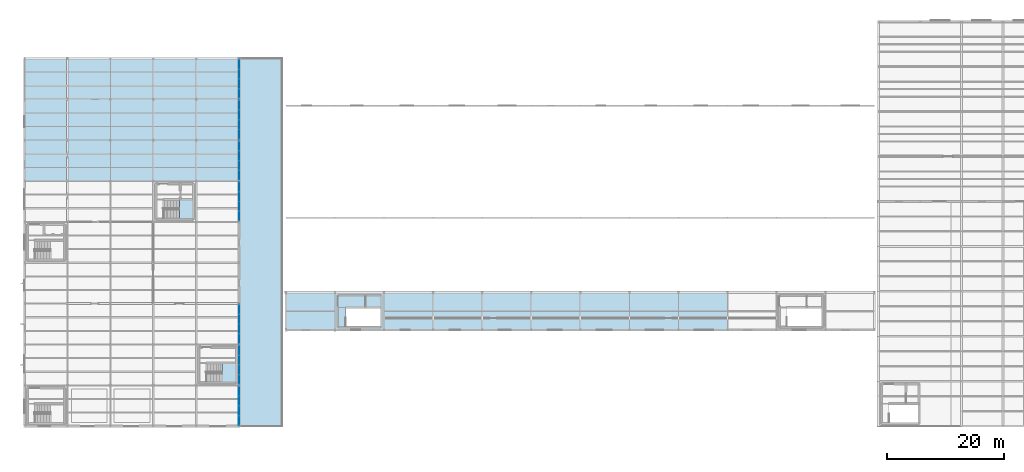
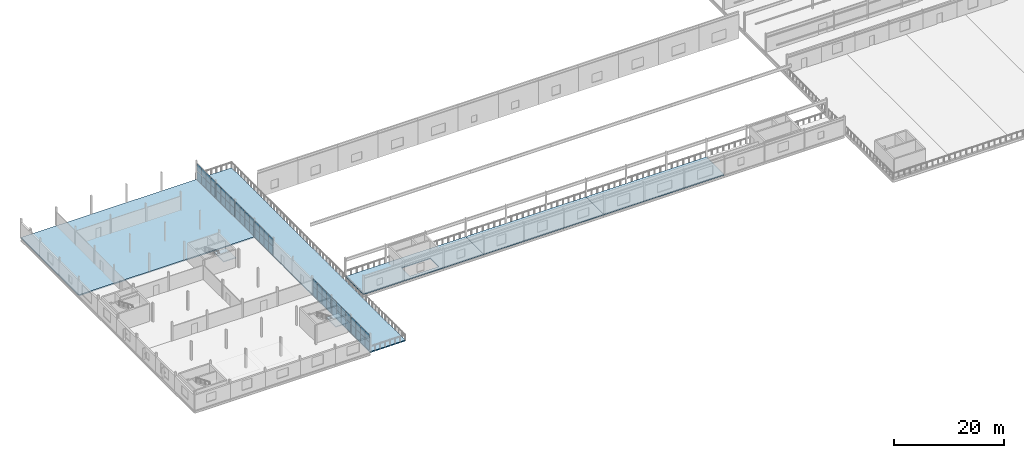
# One storey, part 27 of 39: 56 plates, 7 slabs, 9 elements without a shape of their own.
"""IFC4 building model written with IfcOpenShell, lengths in metres."""

from ifc_helpers import new_model, si_unit, direction, frame, origin, origin_2d, place, context, subcontext, project, spatial, polyline, rectangle, outline, extrude, material, layer, layer_set, type_object, element, aggregate, save


model = new_model("IFC4")

# Units and contexts
model_context = context("Model", 3, precision=1e-05, world=origin(), true_north=direction((0.0, 1.0)))
body_context = subcontext(model_context, "Body", "Model", "MODEL_VIEW")
ifc_project = project(units=[si_unit("LENGTHUNIT", "METRE"), si_unit("AREAUNIT", "SQUARE_METRE"), si_unit("VOLUMEUNIT", "CUBIC_METRE"), si_unit("PLANEANGLEUNIT", "RADIAN"), si_unit("MASSUNIT", "GRAM", prefix="KILO")], contexts=[model_context])

# Site, building, storey
site_placement = place(None, origin())
site = spatial("IfcSite", under=ifc_project, at=site_placement, CompositionType="ELEMENT")
building_placement = place(site_placement, origin())
building = spatial("IfcBuilding", under=site, at=building_placement, Name="Kazenagashi Tramway Depot", CompositionType="ELEMENT")
storey_placement = place(building_placement, frame((0.0, 0.0, 11.1)))
storey = spatial("IfcBuildingStorey", under=building, at=storey_placement, Name="L03", CompositionType="ELEMENT", Elevation=11.1)

# Curtain wall, plates
ifc_material_1 = material(Name="Anodised Aluminium and Low-E Glazing", Category="aluminium")
curtain_wall_type = type_object("IfcCurtainWallType", Name="CW-26", PredefinedType="USERDEFINED", material=ifc_material_1)
curtain_wall_1_placement = place(storey_placement, origin())
curtain_wall_1 = element("IfcCurtainWall", 1, at=curtain_wall_1_placement, inside=storey, type_object=curtain_wall_type, Name="Industrial Glazed Screen CW-26 CW-0145", ObjectType="GLAZED SCREEN", PredefinedType="USERDEFINED")
ifc_material_2 = material(Name="Tempered Laminated Low-E Glass", Category="glass")
ifc_layer_1 = layer(ifc_material_2, 0.016)
ifc_layer_set_1 = layer_set([ifc_layer_1], Name="Tempered Laminated Low-E Glass")
plate_type_1 = type_object("IfcPlateType", Name="GL-01", PredefinedType="CURTAIN_PANEL", material=ifc_layer_set_1)
plate_1_placement = place(storey_placement, frame((36.75, 7.995, 0.06), z_axis=(0.0, 0.0, 1.0), x_axis=(0.0, 1.0, 0.0)))
plate_1 = element("IfcPlate", 2, at=plate_1_placement, type_object=plate_type_1, Name="CW-26 panel 1.1", PredefinedType="CURTAIN_PANEL", context=body_context, shape_type="SweptSolid", body=[
    extrude(rectangle(XDim=1.59, YDim=0.016, at=origin_2d()), origin(), (0.0, 0.0, 1.0), 1.834),
])
plate_2_placement = place(storey_placement, frame((36.75, 7.995, 1.954), z_axis=(0.0, 0.0, 1.0), x_axis=(0.0, 1.0, 0.0)))
plate_2 = element("IfcPlate", 3, at=plate_2_placement, type_object=plate_type_1, Name="CW-26 panel 1.2", PredefinedType="CURTAIN_PANEL", context=body_context, shape_type="SweptSolid", body=[
    extrude(rectangle(XDim=1.59, YDim=0.016, at=origin_2d()), origin(), (0.0, 0.0, 1.0), 1.686),
])
plate_3_placement = place(storey_placement, frame((36.75, 9.66, 0.06), z_axis=(0.0, 0.0, 1.0), x_axis=(0.0, 1.0, 0.0)))
plate_3 = element("IfcPlate", 4, at=plate_3_placement, type_object=plate_type_1, Name="CW-26 panel 2.1", PredefinedType="CURTAIN_PANEL", context=body_context, shape_type="SweptSolid", body=[
    extrude(rectangle(XDim=1.62, YDim=0.016, at=origin_2d()), origin(), (0.0, 0.0, 1.0), 1.834),
])
plate_4_placement = place(storey_placement, frame((36.75, 9.66, 1.954), z_axis=(0.0, 0.0, 1.0), x_axis=(0.0, 1.0, 0.0)))
plate_4 = element("IfcPlate", 5, at=plate_4_placement, type_object=plate_type_1, Name="CW-26 panel 2.2", PredefinedType="CURTAIN_PANEL", context=body_context, shape_type="SweptSolid", body=[
    extrude(rectangle(XDim=1.62, YDim=0.016, at=origin_2d()), origin(), (0.0, 0.0, 1.0), 1.686),
])
plate_5_placement = place(storey_placement, frame((36.75, 11.34, 0.06), z_axis=(0.0, 0.0, 1.0), x_axis=(0.0, 1.0, 0.0)))
plate_5 = element("IfcPlate", 6, at=plate_5_placement, type_object=plate_type_1, Name="CW-26 panel 3.1", PredefinedType="CURTAIN_PANEL", context=body_context, shape_type="SweptSolid", body=[
    extrude(rectangle(XDim=1.62, YDim=0.016, at=origin_2d()), origin(), (0.0, 0.0, 1.0), 1.834),
])
plate_6_placement = place(storey_placement, frame((36.75, 11.34, 1.954), z_axis=(0.0, 0.0, 1.0), x_axis=(0.0, 1.0, 0.0)))
plate_6 = element("IfcPlate", 7, at=plate_6_placement, type_object=plate_type_1, Name="CW-26 panel 3.2", PredefinedType="CURTAIN_PANEL", context=body_context, shape_type="SweptSolid", body=[
    extrude(rectangle(XDim=1.62, YDim=0.016, at=origin_2d()), origin(), (0.0, 0.0, 1.0), 1.686),
])
plate_7_placement = place(storey_placement, frame((36.75, 13.005, 0.06), z_axis=(0.0, 0.0, 1.0), x_axis=(0.0, 1.0, 0.0)))
plate_7 = element("IfcPlate", 8, at=plate_7_placement, type_object=plate_type_1, Name="CW-26 panel 4.1", PredefinedType="CURTAIN_PANEL", context=body_context, shape_type="SweptSolid", body=[
    extrude(rectangle(XDim=1.59, YDim=0.016, at=origin_2d()), origin(), (0.0, 0.0, 1.0), 1.834),
])
plate_8_placement = place(storey_placement, frame((36.75, 13.005, 1.954), z_axis=(0.0, 0.0, 1.0), x_axis=(0.0, 1.0, 0.0)))
plate_8 = element("IfcPlate", 9, at=plate_8_placement, type_object=plate_type_1, Name="CW-26 panel 4.2", PredefinedType="CURTAIN_PANEL", context=body_context, shape_type="SweptSolid", body=[
    extrude(rectangle(XDim=1.59, YDim=0.016, at=origin_2d()), origin(), (0.0, 0.0, 1.0), 1.686),
])
aggregate(curtain_wall_1, [plate_1, plate_2, plate_3, plate_4, plate_5, plate_6, plate_7, plate_8])

curtain_wall_2_placement = place(storey_placement, origin())
curtain_wall_2 = element("IfcCurtainWall", 10, at=curtain_wall_2_placement, inside=storey, type_object=curtain_wall_type, Name="Industrial Glazed Screen CW-26 CW-0146", ObjectType="GLAZED SCREEN", PredefinedType="USERDEFINED")
ifc_layer_2 = layer(ifc_material_2, 0.018)
ifc_layer_set_2 = layer_set([ifc_layer_2], Name="Tempered Laminated Low-E Glass")
plate_type_2 = type_object("IfcPlateType", Name="GL-02", PredefinedType="CURTAIN_PANEL", material=ifc_layer_set_2)
plate_9_placement = place(storey_placement, frame((36.75, 14.995, 0.06), z_axis=(0.0, 0.0, 1.0), x_axis=(0.0, 1.0, 0.0)))
plate_9 = element("IfcPlate", 11, at=plate_9_placement, type_object=plate_type_2, Name="CW-26 panel 1.1", PredefinedType="CURTAIN_PANEL", context=body_context, shape_type="SweptSolid", body=[
    extrude(rectangle(XDim=1.59, YDim=0.018, at=origin_2d()), origin(), (0.0, 0.0, 1.0), 1.834),
])
plate_10_placement = place(storey_placement, frame((36.75, 14.995, 1.954), z_axis=(0.0, 0.0, 1.0), x_axis=(0.0, 1.0, 0.0)))
plate_10 = element("IfcPlate", 12, at=plate_10_placement, type_object=plate_type_2, Name="CW-26 panel 1.2", PredefinedType="CURTAIN_PANEL", context=body_context, shape_type="SweptSolid", body=[
    extrude(rectangle(XDim=1.59, YDim=0.018, at=origin_2d()), origin(), (0.0, 0.0, 1.0), 1.686),
])
plate_11_placement = place(storey_placement, frame((36.75, 16.66, 0.06), z_axis=(0.0, 0.0, 1.0), x_axis=(0.0, 1.0, 0.0)))
plate_11 = element("IfcPlate", 13, at=plate_11_placement, type_object=plate_type_2, Name="CW-26 panel 2.1", PredefinedType="CURTAIN_PANEL", context=body_context, shape_type="SweptSolid", body=[
    extrude(rectangle(XDim=1.62, YDim=0.018, at=origin_2d()), origin(), (0.0, 0.0, 1.0), 1.834),
])
plate_12_placement = place(storey_placement, frame((36.75, 16.66, 1.954), z_axis=(0.0, 0.0, 1.0), x_axis=(0.0, 1.0, 0.0)))
plate_12 = element("IfcPlate", 14, at=plate_12_placement, type_object=plate_type_2, Name="CW-26 panel 2.2", PredefinedType="CURTAIN_PANEL", context=body_context, shape_type="SweptSolid", body=[
    extrude(rectangle(XDim=1.62, YDim=0.018, at=origin_2d()), origin(), (0.0, 0.0, 1.0), 1.686),
])
plate_13_placement = place(storey_placement, frame((36.75, 18.34, 0.06), z_axis=(0.0, 0.0, 1.0), x_axis=(0.0, 1.0, 0.0)))
plate_13 = element("IfcPlate", 15, at=plate_13_placement, type_object=plate_type_2, Name="CW-26 panel 3.1", PredefinedType="CURTAIN_PANEL", context=body_context, shape_type="SweptSolid", body=[
    extrude(rectangle(XDim=1.62, YDim=0.018, at=origin_2d()), origin(), (0.0, 0.0, 1.0), 1.834),
])
plate_14_placement = place(storey_placement, frame((36.75, 18.34, 1.954), z_axis=(0.0, 0.0, 1.0), x_axis=(0.0, 1.0, 0.0)))
plate_14 = element("IfcPlate", 16, at=plate_14_placement, type_object=plate_type_2, Name="CW-26 panel 3.2", PredefinedType="CURTAIN_PANEL", context=body_context, shape_type="SweptSolid", body=[
    extrude(rectangle(XDim=1.62, YDim=0.018, at=origin_2d()), origin(), (0.0, 0.0, 1.0), 1.686),
])
plate_15_placement = place(storey_placement, frame((36.75, 20.005, 0.06), z_axis=(0.0, 0.0, 1.0), x_axis=(0.0, 1.0, 0.0)))
plate_15 = element("IfcPlate", 17, at=plate_15_placement, type_object=plate_type_2, Name="CW-26 panel 4.1", PredefinedType="CURTAIN_PANEL", context=body_context, shape_type="SweptSolid", body=[
    extrude(rectangle(XDim=1.59, YDim=0.018, at=origin_2d()), origin(), (0.0, 0.0, 1.0), 1.834),
])
plate_16_placement = place(storey_placement, frame((36.75, 20.005, 1.954), z_axis=(0.0, 0.0, 1.0), x_axis=(0.0, 1.0, 0.0)))
plate_16 = element("IfcPlate", 18, at=plate_16_placement, type_object=plate_type_2, Name="CW-26 panel 4.2", PredefinedType="CURTAIN_PANEL", context=body_context, shape_type="SweptSolid", body=[
    extrude(rectangle(XDim=1.59, YDim=0.018, at=origin_2d()), origin(), (0.0, 0.0, 1.0), 1.686),
])
aggregate(curtain_wall_2, [plate_9, plate_10, plate_11, plate_12, plate_13, plate_14, plate_15, plate_16])

curtain_wall_3_placement = place(storey_placement, origin())
curtain_wall_3 = element("IfcCurtainWall", 19, at=curtain_wall_3_placement, inside=storey, type_object=curtain_wall_type, Name="Industrial Glazed Screen CW-26 CW-0147", ObjectType="GLAZED SCREEN", PredefinedType="USERDEFINED")
ifc_layer_3 = layer(ifc_material_2, 0.02)
ifc_layer_set_3 = layer_set([ifc_layer_3], Name="Tempered Laminated Low-E Glass")
plate_type_3 = type_object("IfcPlateType", Name="GL-03", PredefinedType="CURTAIN_PANEL", material=ifc_layer_set_3)
plate_17_placement = place(storey_placement, frame((36.75, 35.995, 0.06), z_axis=(0.0, 0.0, 1.0), x_axis=(0.0, 1.0, 0.0)))
plate_17 = element("IfcPlate", 20, at=plate_17_placement, type_object=plate_type_3, Name="CW-26 panel 1.1", PredefinedType="CURTAIN_PANEL", context=body_context, shape_type="SweptSolid", body=[
    extrude(rectangle(XDim=1.59, YDim=0.02, at=origin_2d()), origin(), (0.0, 0.0, 1.0), 1.834),
])
plate_18_placement = place(storey_placement, frame((36.75, 35.995, 1.954), z_axis=(0.0, 0.0, 1.0), x_axis=(0.0, 1.0, 0.0)))
plate_18 = element("IfcPlate", 21, at=plate_18_placement, type_object=plate_type_3, Name="CW-26 panel 1.2", PredefinedType="CURTAIN_PANEL", context=body_context, shape_type="SweptSolid", body=[
    extrude(rectangle(XDim=1.59, YDim=0.02, at=origin_2d()), origin(), (0.0, 0.0, 1.0), 1.686),
])
plate_19_placement = place(storey_placement, frame((36.75, 37.66, 0.06), z_axis=(0.0, 0.0, 1.0), x_axis=(0.0, 1.0, 0.0)))
plate_19 = element("IfcPlate", 22, at=plate_19_placement, type_object=plate_type_3, Name="CW-26 panel 2.1", PredefinedType="CURTAIN_PANEL", context=body_context, shape_type="SweptSolid", body=[
    extrude(rectangle(XDim=1.62, YDim=0.02, at=origin_2d()), origin(), (0.0, 0.0, 1.0), 1.834),
])
plate_20_placement = place(storey_placement, frame((36.75, 37.66, 1.954), z_axis=(0.0, 0.0, 1.0), x_axis=(0.0, 1.0, 0.0)))
plate_20 = element("IfcPlate", 23, at=plate_20_placement, type_object=plate_type_3, Name="CW-26 panel 2.2", PredefinedType="CURTAIN_PANEL", context=body_context, shape_type="SweptSolid", body=[
    extrude(rectangle(XDim=1.62, YDim=0.02, at=origin_2d()), origin(), (0.0, 0.0, 1.0), 1.686),
])
plate_21_placement = place(storey_placement, frame((36.75, 39.34, 0.06), z_axis=(0.0, 0.0, 1.0), x_axis=(0.0, 1.0, 0.0)))
plate_21 = element("IfcPlate", 24, at=plate_21_placement, type_object=plate_type_3, Name="CW-26 panel 3.1", PredefinedType="CURTAIN_PANEL", context=body_context, shape_type="SweptSolid", body=[
    extrude(rectangle(XDim=1.62, YDim=0.02, at=origin_2d()), origin(), (0.0, 0.0, 1.0), 1.834),
])
plate_22_placement = place(storey_placement, frame((36.75, 39.34, 1.954), z_axis=(0.0, 0.0, 1.0), x_axis=(0.0, 1.0, 0.0)))
plate_22 = element("IfcPlate", 25, at=plate_22_placement, type_object=plate_type_3, Name="CW-26 panel 3.2", PredefinedType="CURTAIN_PANEL", context=body_context, shape_type="SweptSolid", body=[
    extrude(rectangle(XDim=1.62, YDim=0.02, at=origin_2d()), origin(), (0.0, 0.0, 1.0), 1.686),
])
plate_23_placement = place(storey_placement, frame((36.75, 41.005, 0.06), z_axis=(0.0, 0.0, 1.0), x_axis=(0.0, 1.0, 0.0)))
plate_23 = element("IfcPlate", 26, at=plate_23_placement, type_object=plate_type_3, Name="CW-26 panel 4.1", PredefinedType="CURTAIN_PANEL", context=body_context, shape_type="SweptSolid", body=[
    extrude(rectangle(XDim=1.59, YDim=0.02, at=origin_2d()), origin(), (0.0, 0.0, 1.0), 1.834),
])
plate_24_placement = place(storey_placement, frame((36.75, 41.005, 1.954), z_axis=(0.0, 0.0, 1.0), x_axis=(0.0, 1.0, 0.0)))
plate_24 = element("IfcPlate", 27, at=plate_24_placement, type_object=plate_type_3, Name="CW-26 panel 4.2", PredefinedType="CURTAIN_PANEL", context=body_context, shape_type="SweptSolid", body=[
    extrude(rectangle(XDim=1.59, YDim=0.02, at=origin_2d()), origin(), (0.0, 0.0, 1.0), 1.686),
])
aggregate(curtain_wall_3, [plate_17, plate_18, plate_19, plate_20, plate_21, plate_22, plate_23, plate_24])

curtain_wall_4_placement = place(storey_placement, origin())
curtain_wall_4 = element("IfcCurtainWall", 28, at=curtain_wall_4_placement, inside=storey, type_object=curtain_wall_type, Name="Industrial Glazed Screen CW-26 CW-0148", ObjectType="GLAZED SCREEN", PredefinedType="USERDEFINED")
ifc_layer_4 = layer(ifc_material_2, 0.022)
ifc_layer_set_4 = layer_set([ifc_layer_4], Name="Tempered Laminated Low-E Glass")
plate_type_4 = type_object("IfcPlateType", Name="GL-04", PredefinedType="CURTAIN_PANEL", material=ifc_layer_set_4)
plate_25_placement = place(storey_placement, frame((36.75, 42.995, 0.06), z_axis=(0.0, 0.0, 1.0), x_axis=(0.0, 1.0, 0.0)))
plate_25 = element("IfcPlate", 29, at=plate_25_placement, type_object=plate_type_4, Name="CW-26 panel 1.1", PredefinedType="CURTAIN_PANEL", context=body_context, shape_type="SweptSolid", body=[
    extrude(rectangle(XDim=1.59, YDim=0.022, at=origin_2d()), origin(), (0.0, 0.0, 1.0), 1.834),
])
plate_26_placement = place(storey_placement, frame((36.75, 42.995, 1.954), z_axis=(0.0, 0.0, 1.0), x_axis=(0.0, 1.0, 0.0)))
plate_26 = element("IfcPlate", 30, at=plate_26_placement, type_object=plate_type_4, Name="CW-26 panel 1.2", PredefinedType="CURTAIN_PANEL", context=body_context, shape_type="SweptSolid", body=[
    extrude(rectangle(XDim=1.59, YDim=0.022, at=origin_2d()), origin(), (0.0, 0.0, 1.0), 1.686),
])
plate_27_placement = place(storey_placement, frame((36.75, 44.66, 0.06), z_axis=(0.0, 0.0, 1.0), x_axis=(0.0, 1.0, 0.0)))
plate_27 = element("IfcPlate", 31, at=plate_27_placement, type_object=plate_type_4, Name="CW-26 panel 2.1", PredefinedType="CURTAIN_PANEL", context=body_context, shape_type="SweptSolid", body=[
    extrude(rectangle(XDim=1.62, YDim=0.022, at=origin_2d()), origin(), (0.0, 0.0, 1.0), 1.834),
])
plate_28_placement = place(storey_placement, frame((36.75, 44.66, 1.954), z_axis=(0.0, 0.0, 1.0), x_axis=(0.0, 1.0, 0.0)))
plate_28 = element("IfcPlate", 32, at=plate_28_placement, type_object=plate_type_4, Name="CW-26 panel 2.2", PredefinedType="CURTAIN_PANEL", context=body_context, shape_type="SweptSolid", body=[
    extrude(rectangle(XDim=1.62, YDim=0.022, at=origin_2d()), origin(), (0.0, 0.0, 1.0), 1.686),
])
plate_29_placement = place(storey_placement, frame((36.75, 46.34, 0.06), z_axis=(0.0, 0.0, 1.0), x_axis=(0.0, 1.0, 0.0)))
plate_29 = element("IfcPlate", 33, at=plate_29_placement, type_object=plate_type_4, Name="CW-26 panel 3.1", PredefinedType="CURTAIN_PANEL", context=body_context, shape_type="SweptSolid", body=[
    extrude(rectangle(XDim=1.62, YDim=0.022, at=origin_2d()), origin(), (0.0, 0.0, 1.0), 1.834),
])
plate_30_placement = place(storey_placement, frame((36.75, 46.34, 1.954), z_axis=(0.0, 0.0, 1.0), x_axis=(0.0, 1.0, 0.0)))
plate_30 = element("IfcPlate", 34, at=plate_30_placement, type_object=plate_type_4, Name="CW-26 panel 3.2", PredefinedType="CURTAIN_PANEL", context=body_context, shape_type="SweptSolid", body=[
    extrude(rectangle(XDim=1.62, YDim=0.022, at=origin_2d()), origin(), (0.0, 0.0, 1.0), 1.686),
])
plate_31_placement = place(storey_placement, frame((36.75, 48.005, 0.06), z_axis=(0.0, 0.0, 1.0), x_axis=(0.0, 1.0, 0.0)))
plate_31 = element("IfcPlate", 35, at=plate_31_placement, type_object=plate_type_4, Name="CW-26 panel 4.1", PredefinedType="CURTAIN_PANEL", context=body_context, shape_type="SweptSolid", body=[
    extrude(rectangle(XDim=1.59, YDim=0.022, at=origin_2d()), origin(), (0.0, 0.0, 1.0), 1.834),
])
plate_32_placement = place(storey_placement, frame((36.75, 48.005, 1.954), z_axis=(0.0, 0.0, 1.0), x_axis=(0.0, 1.0, 0.0)))
plate_32 = element("IfcPlate", 36, at=plate_32_placement, type_object=plate_type_4, Name="CW-26 panel 4.2", PredefinedType="CURTAIN_PANEL", context=body_context, shape_type="SweptSolid", body=[
    extrude(rectangle(XDim=1.59, YDim=0.022, at=origin_2d()), origin(), (0.0, 0.0, 1.0), 1.686),
])
aggregate(curtain_wall_4, [plate_25, plate_26, plate_27, plate_28, plate_29, plate_30, plate_31, plate_32])

curtain_wall_5_placement = place(storey_placement, origin())
curtain_wall_5 = element("IfcCurtainWall", 37, at=curtain_wall_5_placement, inside=storey, type_object=curtain_wall_type, Name="Industrial Glazed Screen CW-26 CW-0149", ObjectType="GLAZED SCREEN", PredefinedType="USERDEFINED")
ifc_layer_5 = layer(ifc_material_2, 0.024)
ifc_layer_set_5 = layer_set([ifc_layer_5], Name="Tempered Laminated Low-E Glass")
plate_type_5 = type_object("IfcPlateType", Name="GL-05", PredefinedType="CURTAIN_PANEL", material=ifc_layer_set_5)
plate_33_placement = place(storey_placement, frame((36.75, 49.995, 0.06), z_axis=(0.0, 0.0, 1.0), x_axis=(0.0, 1.0, 0.0)))
plate_33 = element("IfcPlate", 38, at=plate_33_placement, type_object=plate_type_5, Name="CW-26 panel 1.1", PredefinedType="CURTAIN_PANEL", context=body_context, shape_type="SweptSolid", body=[
    extrude(rectangle(XDim=1.59, YDim=0.024, at=origin_2d()), origin(), (0.0, 0.0, 1.0), 1.834),
])
plate_34_placement = place(storey_placement, frame((36.75, 49.995, 1.954), z_axis=(0.0, 0.0, 1.0), x_axis=(0.0, 1.0, 0.0)))
plate_34 = element("IfcPlate", 39, at=plate_34_placement, type_object=plate_type_5, Name="CW-26 panel 1.2", PredefinedType="CURTAIN_PANEL", context=body_context, shape_type="SweptSolid", body=[
    extrude(rectangle(XDim=1.59, YDim=0.024, at=origin_2d()), origin(), (0.0, 0.0, 1.0), 1.686),
])
plate_35_placement = place(storey_placement, frame((36.75, 51.66, 0.06), z_axis=(0.0, 0.0, 1.0), x_axis=(0.0, 1.0, 0.0)))
plate_35 = element("IfcPlate", 40, at=plate_35_placement, type_object=plate_type_5, Name="CW-26 panel 2.1", PredefinedType="CURTAIN_PANEL", context=body_context, shape_type="SweptSolid", body=[
    extrude(rectangle(XDim=1.62, YDim=0.024, at=origin_2d()), origin(), (0.0, 0.0, 1.0), 1.834),
])
plate_36_placement = place(storey_placement, frame((36.75, 51.66, 1.954), z_axis=(0.0, 0.0, 1.0), x_axis=(0.0, 1.0, 0.0)))
plate_36 = element("IfcPlate", 41, at=plate_36_placement, type_object=plate_type_5, Name="CW-26 panel 2.2", PredefinedType="CURTAIN_PANEL", context=body_context, shape_type="SweptSolid", body=[
    extrude(rectangle(XDim=1.62, YDim=0.024, at=origin_2d()), origin(), (0.0, 0.0, 1.0), 1.686),
])
plate_37_placement = place(storey_placement, frame((36.75, 53.34, 0.06), z_axis=(0.0, 0.0, 1.0), x_axis=(0.0, 1.0, 0.0)))
plate_37 = element("IfcPlate", 42, at=plate_37_placement, type_object=plate_type_5, Name="CW-26 panel 3.1", PredefinedType="CURTAIN_PANEL", context=body_context, shape_type="SweptSolid", body=[
    extrude(rectangle(XDim=1.62, YDim=0.024, at=origin_2d()), origin(), (0.0, 0.0, 1.0), 1.834),
])
plate_38_placement = place(storey_placement, frame((36.75, 53.34, 1.954), z_axis=(0.0, 0.0, 1.0), x_axis=(0.0, 1.0, 0.0)))
plate_38 = element("IfcPlate", 43, at=plate_38_placement, type_object=plate_type_5, Name="CW-26 panel 3.2", PredefinedType="CURTAIN_PANEL", context=body_context, shape_type="SweptSolid", body=[
    extrude(rectangle(XDim=1.62, YDim=0.024, at=origin_2d()), origin(), (0.0, 0.0, 1.0), 1.686),
])
plate_39_placement = place(storey_placement, frame((36.75, 55.005, 0.06), z_axis=(0.0, 0.0, 1.0), x_axis=(0.0, 1.0, 0.0)))
plate_39 = element("IfcPlate", 44, at=plate_39_placement, type_object=plate_type_5, Name="CW-26 panel 4.1", PredefinedType="CURTAIN_PANEL", context=body_context, shape_type="SweptSolid", body=[
    extrude(rectangle(XDim=1.59, YDim=0.024, at=origin_2d()), origin(), (0.0, 0.0, 1.0), 1.834),
])
plate_40_placement = place(storey_placement, frame((36.75, 55.005, 1.954), z_axis=(0.0, 0.0, 1.0), x_axis=(0.0, 1.0, 0.0)))
plate_40 = element("IfcPlate", 45, at=plate_40_placement, type_object=plate_type_5, Name="CW-26 panel 4.2", PredefinedType="CURTAIN_PANEL", context=body_context, shape_type="SweptSolid", body=[
    extrude(rectangle(XDim=1.59, YDim=0.024, at=origin_2d()), origin(), (0.0, 0.0, 1.0), 1.686),
])
aggregate(curtain_wall_5, [plate_33, plate_34, plate_35, plate_36, plate_37, plate_38, plate_39, plate_40])

curtain_wall_6_placement = place(storey_placement, origin())
curtain_wall_6 = element("IfcCurtainWall", 46, at=curtain_wall_6_placement, inside=storey, type_object=curtain_wall_type, Name="Industrial Glazed Screen CW-26 CW-0150", ObjectType="GLAZED SCREEN", PredefinedType="USERDEFINED")
ifc_layer_6 = layer(ifc_material_2, 0.026)
ifc_layer_set_6 = layer_set([ifc_layer_6], Name="Tempered Laminated Low-E Glass")
plate_type_6 = type_object("IfcPlateType", Name="GL-06", PredefinedType="CURTAIN_PANEL", material=ifc_layer_set_6)
plate_41_placement = place(storey_placement, frame((36.75, 56.995, 0.06), z_axis=(0.0, 0.0, 1.0), x_axis=(0.0, 1.0, 0.0)))
plate_41 = element("IfcPlate", 47, at=plate_41_placement, type_object=plate_type_6, Name="CW-26 panel 1.1", PredefinedType="CURTAIN_PANEL", context=body_context, shape_type="SweptSolid", body=[
    extrude(rectangle(XDim=1.59, YDim=0.026, at=origin_2d()), origin(), (0.0, 0.0, 1.0), 1.834),
])
plate_42_placement = place(storey_placement, frame((36.75, 56.995, 1.954), z_axis=(0.0, 0.0, 1.0), x_axis=(0.0, 1.0, 0.0)))
plate_42 = element("IfcPlate", 48, at=plate_42_placement, type_object=plate_type_6, Name="CW-26 panel 1.2", PredefinedType="CURTAIN_PANEL", context=body_context, shape_type="SweptSolid", body=[
    extrude(rectangle(XDim=1.59, YDim=0.026, at=origin_2d()), origin(), (0.0, 0.0, 1.0), 1.686),
])
plate_43_placement = place(storey_placement, frame((36.75, 58.66, 0.06), z_axis=(0.0, 0.0, 1.0), x_axis=(0.0, 1.0, 0.0)))
plate_43 = element("IfcPlate", 49, at=plate_43_placement, type_object=plate_type_6, Name="CW-26 panel 2.1", PredefinedType="CURTAIN_PANEL", context=body_context, shape_type="SweptSolid", body=[
    extrude(rectangle(XDim=1.62, YDim=0.026, at=origin_2d()), origin(), (0.0, 0.0, 1.0), 1.834),
])
plate_44_placement = place(storey_placement, frame((36.75, 58.66, 1.954), z_axis=(0.0, 0.0, 1.0), x_axis=(0.0, 1.0, 0.0)))
plate_44 = element("IfcPlate", 50, at=plate_44_placement, type_object=plate_type_6, Name="CW-26 panel 2.2", PredefinedType="CURTAIN_PANEL", context=body_context, shape_type="SweptSolid", body=[
    extrude(rectangle(XDim=1.62, YDim=0.026, at=origin_2d()), origin(), (0.0, 0.0, 1.0), 1.686),
])
plate_45_placement = place(storey_placement, frame((36.75, 60.34, 0.06), z_axis=(0.0, 0.0, 1.0), x_axis=(0.0, 1.0, 0.0)))
plate_45 = element("IfcPlate", 51, at=plate_45_placement, type_object=plate_type_6, Name="CW-26 panel 3.1", PredefinedType="CURTAIN_PANEL", context=body_context, shape_type="SweptSolid", body=[
    extrude(rectangle(XDim=1.62, YDim=0.026, at=origin_2d()), origin(), (0.0, 0.0, 1.0), 1.834),
])
plate_46_placement = place(storey_placement, frame((36.75, 60.34, 1.954), z_axis=(0.0, 0.0, 1.0), x_axis=(0.0, 1.0, 0.0)))
plate_46 = element("IfcPlate", 52, at=plate_46_placement, type_object=plate_type_6, Name="CW-26 panel 3.2", PredefinedType="CURTAIN_PANEL", context=body_context, shape_type="SweptSolid", body=[
    extrude(rectangle(XDim=1.62, YDim=0.026, at=origin_2d()), origin(), (0.0, 0.0, 1.0), 1.686),
])
plate_47_placement = place(storey_placement, frame((36.75, 62.005, 0.06), z_axis=(0.0, 0.0, 1.0), x_axis=(0.0, 1.0, 0.0)))
plate_47 = element("IfcPlate", 53, at=plate_47_placement, type_object=plate_type_6, Name="CW-26 panel 4.1", PredefinedType="CURTAIN_PANEL", context=body_context, shape_type="SweptSolid", body=[
    extrude(rectangle(XDim=1.59, YDim=0.026, at=origin_2d()), origin(), (0.0, 0.0, 1.0), 1.834),
])
plate_48_placement = place(storey_placement, frame((36.75, 62.005, 1.954), z_axis=(0.0, 0.0, 1.0), x_axis=(0.0, 1.0, 0.0)))
plate_48 = element("IfcPlate", 54, at=plate_48_placement, type_object=plate_type_6, Name="CW-26 panel 4.2", PredefinedType="CURTAIN_PANEL", context=body_context, shape_type="SweptSolid", body=[
    extrude(rectangle(XDim=1.59, YDim=0.026, at=origin_2d()), origin(), (0.0, 0.0, 1.0), 1.686),
])
aggregate(curtain_wall_6, [plate_41, plate_42, plate_43, plate_44, plate_45, plate_46, plate_47, plate_48])

curtain_wall_7_placement = place(storey_placement, origin())
curtain_wall_7 = element("IfcCurtainWall", 55, at=curtain_wall_7_placement, inside=storey, type_object=curtain_wall_type, Name="Industrial Glazed Screen CW-26 CW-0144", ObjectType="GLAZED SCREEN", PredefinedType="USERDEFINED")
ifc_layer_7 = layer(ifc_material_2, 0.046)
ifc_layer_set_7 = layer_set([ifc_layer_7], Name="Tempered Laminated Low-E Glass")
plate_type_7 = type_object("IfcPlateType", Name="GL-16", PredefinedType="CURTAIN_PANEL", material=ifc_layer_set_7)
plate_49_placement = place(storey_placement, frame((36.75, 0.995, 0.06), z_axis=(0.0, 0.0, 1.0), x_axis=(0.0, 1.0, 0.0)))
plate_49 = element("IfcPlate", 56, at=plate_49_placement, type_object=plate_type_7, Name="CW-26 panel 1.1", PredefinedType="CURTAIN_PANEL", context=body_context, shape_type="SweptSolid", body=[
    extrude(rectangle(XDim=1.59, YDim=0.046, at=origin_2d()), origin(), (0.0, 0.0, 1.0), 1.834),
])
plate_50_placement = place(storey_placement, frame((36.75, 0.995, 1.954), z_axis=(0.0, 0.0, 1.0), x_axis=(0.0, 1.0, 0.0)))
plate_50 = element("IfcPlate", 57, at=plate_50_placement, type_object=plate_type_7, Name="CW-26 panel 1.2", PredefinedType="CURTAIN_PANEL", context=body_context, shape_type="SweptSolid", body=[
    extrude(rectangle(XDim=1.59, YDim=0.046, at=origin_2d()), origin(), (0.0, 0.0, 1.0), 1.686),
])
plate_51_placement = place(storey_placement, frame((36.75, 2.66, 0.06), z_axis=(0.0, 0.0, 1.0), x_axis=(0.0, 1.0, 0.0)))
plate_51 = element("IfcPlate", 58, at=plate_51_placement, type_object=plate_type_7, Name="CW-26 panel 2.1", PredefinedType="CURTAIN_PANEL", context=body_context, shape_type="SweptSolid", body=[
    extrude(rectangle(XDim=1.62, YDim=0.046, at=origin_2d()), origin(), (0.0, 0.0, 1.0), 1.834),
])
plate_52_placement = place(storey_placement, frame((36.75, 2.66, 1.954), z_axis=(0.0, 0.0, 1.0), x_axis=(0.0, 1.0, 0.0)))
plate_52 = element("IfcPlate", 59, at=plate_52_placement, type_object=plate_type_7, Name="CW-26 panel 2.2", PredefinedType="CURTAIN_PANEL", context=body_context, shape_type="SweptSolid", body=[
    extrude(rectangle(XDim=1.62, YDim=0.046, at=origin_2d()), origin(), (0.0, 0.0, 1.0), 1.686),
])
plate_53_placement = place(storey_placement, frame((36.75, 4.34, 0.06), z_axis=(0.0, 0.0, 1.0), x_axis=(0.0, 1.0, 0.0)))
plate_53 = element("IfcPlate", 60, at=plate_53_placement, type_object=plate_type_7, Name="CW-26 panel 3.1", PredefinedType="CURTAIN_PANEL", context=body_context, shape_type="SweptSolid", body=[
    extrude(rectangle(XDim=1.62, YDim=0.046, at=origin_2d()), origin(), (0.0, 0.0, 1.0), 1.834),
])
plate_54_placement = place(storey_placement, frame((36.75, 4.34, 1.954), z_axis=(0.0, 0.0, 1.0), x_axis=(0.0, 1.0, 0.0)))
plate_54 = element("IfcPlate", 61, at=plate_54_placement, type_object=plate_type_7, Name="CW-26 panel 3.2", PredefinedType="CURTAIN_PANEL", context=body_context, shape_type="SweptSolid", body=[
    extrude(rectangle(XDim=1.62, YDim=0.046, at=origin_2d()), origin(), (0.0, 0.0, 1.0), 1.686),
])
plate_55_placement = place(storey_placement, frame((36.75, 6.005, 0.06), z_axis=(0.0, 0.0, 1.0), x_axis=(0.0, 1.0, 0.0)))
plate_55 = element("IfcPlate", 62, at=plate_55_placement, type_object=plate_type_7, Name="CW-26 panel 4.1", PredefinedType="CURTAIN_PANEL", context=body_context, shape_type="SweptSolid", body=[
    extrude(rectangle(XDim=1.59, YDim=0.046, at=origin_2d()), origin(), (0.0, 0.0, 1.0), 1.834),
])
plate_56_placement = place(storey_placement, frame((36.75, 6.005, 1.954), z_axis=(0.0, 0.0, 1.0), x_axis=(0.0, 1.0, 0.0)))
plate_56 = element("IfcPlate", 63, at=plate_56_placement, type_object=plate_type_7, Name="CW-26 panel 4.2", PredefinedType="CURTAIN_PANEL", context=body_context, shape_type="SweptSolid", body=[
    extrude(rectangle(XDim=1.59, YDim=0.046, at=origin_2d()), origin(), (0.0, 0.0, 1.0), 1.686),
])
aggregate(curtain_wall_7, [plate_49, plate_50, plate_51, plate_52, plate_53, plate_54, plate_55, plate_56])

# Slabs
ifc_material_3 = material(Name="Concrete Fc36", Category="concrete")
ifc_layer_8 = layer(ifc_material_3, 0.25)
ifc_layer_set_8 = layer_set([ifc_layer_8], Name="Concrete Fc36")
slab_type_1 = type_object("IfcSlabType", Name="SL-04", PredefinedType="FLOOR", material=ifc_layer_set_8)
slab_1_placement = place(storey_placement, frame((0.0, 0.0, -0.25)))
element("IfcSlab", 64, at=slab_1_placement, inside=storey, type_object=slab_type_1, Name="Operations L03 Slab 3 SLAB-084", PredefinedType="FLOOR", context=body_context, shape_type="SweptSolid", body=[
    extrude(outline(polyline([(0.0, 42.0), (36.75, 42.0), (36.75, 63.0), (0.0, 63.0), (0.0, 42.0)])), origin(), (0.0, 0.0, 1.0), 0.25),
])
ifc_layer_9 = layer(ifc_material_3, 0.21)
ifc_layer_set_9 = layer_set([ifc_layer_9], Name="Concrete Fc36")
slab_type_2 = type_object("IfcSlabType", Name="SL-06", PredefinedType="FLOOR", material=ifc_layer_set_9)
slab_2_placement = place(storey_placement, frame((0.0, 0.0, -0.21)))
element("IfcSlab", 65, at=slab_2_placement, inside=storey, type_object=slab_type_2, Name="Viewing Gallery L03 Slab 1 SLAB-086", PredefinedType="FLOOR", context=body_context, shape_type="SweptSolid", body=[
    extrude(outline(polyline([(44.8, 22.9), (70.0, 22.9), (70.0, 16.5), (44.8, 16.5), (44.8, 22.9)]), holes=[polyline([(60.99, 20.2), (54.96, 20.2), (54.96, 17.11), (60.99, 17.11), (60.99, 20.2)])]), origin(), (0.0, 0.0, 1.0), 0.21),
])
slab_3_placement = place(storey_placement, frame((0.0, 0.0, -0.21)))
element("IfcSlab", 66, at=slab_3_placement, inside=storey, type_object=slab_type_2, Name="Viewing Gallery L03 Slab 2 SLAB-087", PredefinedType="FLOOR", context=body_context, shape_type="SweptSolid", body=[
    extrude(outline(polyline([(70.0, 16.5), (95.2, 16.5), (95.2, 22.9), (70.0, 22.9), (70.0, 16.5)])), origin(), (0.0, 0.0, 1.0), 0.21),
])
slab_4_placement = place(storey_placement, frame((0.0, 0.0, -0.21)))
element("IfcSlab", 67, at=slab_4_placement, inside=storey, type_object=slab_type_2, Name="Viewing Gallery L03 Slab 3 SLAB-088", PredefinedType="FLOOR", context=body_context, shape_type="SweptSolid", body=[
    extrude(outline(polyline([(95.2, 16.5), (120.4, 16.5), (120.4, 22.9), (95.2, 22.9), (95.2, 16.5)])), origin(), (0.0, 0.0, 1.0), 0.21),
])
ifc_layer_10 = layer(ifc_material_3, 0.24)
ifc_layer_set_10 = layer_set([ifc_layer_10], Name="Concrete Fc36")
slab_type_3 = type_object("IfcSlabType", Name="SL-09", PredefinedType="FLOOR", material=ifc_layer_set_10)
slab_5_placement = place(storey_placement, frame((0.0, 0.0, -0.24)))
element("IfcSlab", 68, at=slab_5_placement, inside=storey, type_object=slab_type_3, Name="L03 East Staff Dining Terrace SLAB-085", PredefinedType="FLOOR", context=body_context, shape_type="SweptSolid", body=[
    extrude(outline(polyline([(36.75, 0.0), (44.1, 0.0), (44.1, 63.0), (36.75, 63.0), (36.75, 0.0)])), origin(), (0.0, 0.0, 1.0), 0.24),
])

# Stair, slab
stair_type = type_object("IfcStairType", Name="ST-T4", PredefinedType="USERDEFINED", material=ifc_material_3)
stair_1_placement = place(storey_placement, origin())
stair_1 = element("IfcStair", 69, at=stair_1_placement, inside=storey, type_object=stair_type, Name="Enclosed Escape Stair ST-07", ObjectType="TWO_RETURN_STAIR", PredefinedType="USERDEFINED")
ifc_layer_11 = layer(ifc_material_3, 0.195)
ifc_layer_set_11 = layer_set([ifc_layer_11], Name="Concrete Fc36")
slab_type_4 = type_object("IfcSlabType", Name="SL-LD1", PredefinedType="LANDING", material=ifc_layer_set_11)
slab_6_placement = place(storey_placement, frame((0.0, 0.0, 1.905)))
slab_6 = element("IfcSlab", 70, at=slab_6_placement, type_object=slab_type_4, Name="ST-07 landing 1", PredefinedType="LANDING", context=body_context, shape_type="SweptSolid", body=[
    extrude(outline(polyline([(26.502, 35.41), (29.04, 35.41), (29.04, 38.9), (26.502, 38.9), (26.502, 35.41)])), origin(), (0.0, 0.0, 1.0), 0.195),
])
aggregate(stair_1, [slab_6])

stair_2_placement = place(storey_placement, origin())
stair_2 = element("IfcStair", 71, at=stair_2_placement, inside=storey, type_object=stair_type, Name="Enclosed Escape Stair ST-11", ObjectType="TWO_RETURN_STAIR", PredefinedType="USERDEFINED")
slab_7_placement = place(storey_placement, frame((0.0, 0.0, 1.905)))
slab_7 = element("IfcSlab", 72, at=slab_7_placement, type_object=slab_type_4, Name="ST-11 landing 1", PredefinedType="LANDING", context=body_context, shape_type="SweptSolid", body=[
    extrude(outline(polyline([(33.852, 7.41), (36.39, 7.41), (36.39, 10.9), (33.852, 10.9), (33.852, 7.41)])), origin(), (0.0, 0.0, 1.0), 0.195),
])
aggregate(stair_2, [slab_7])

save(model, "model.ifc")
